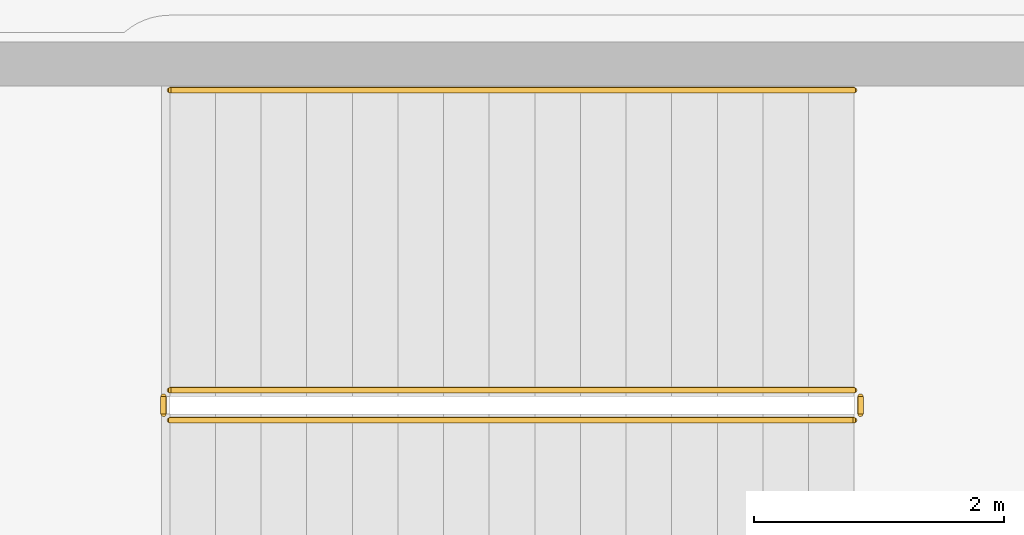
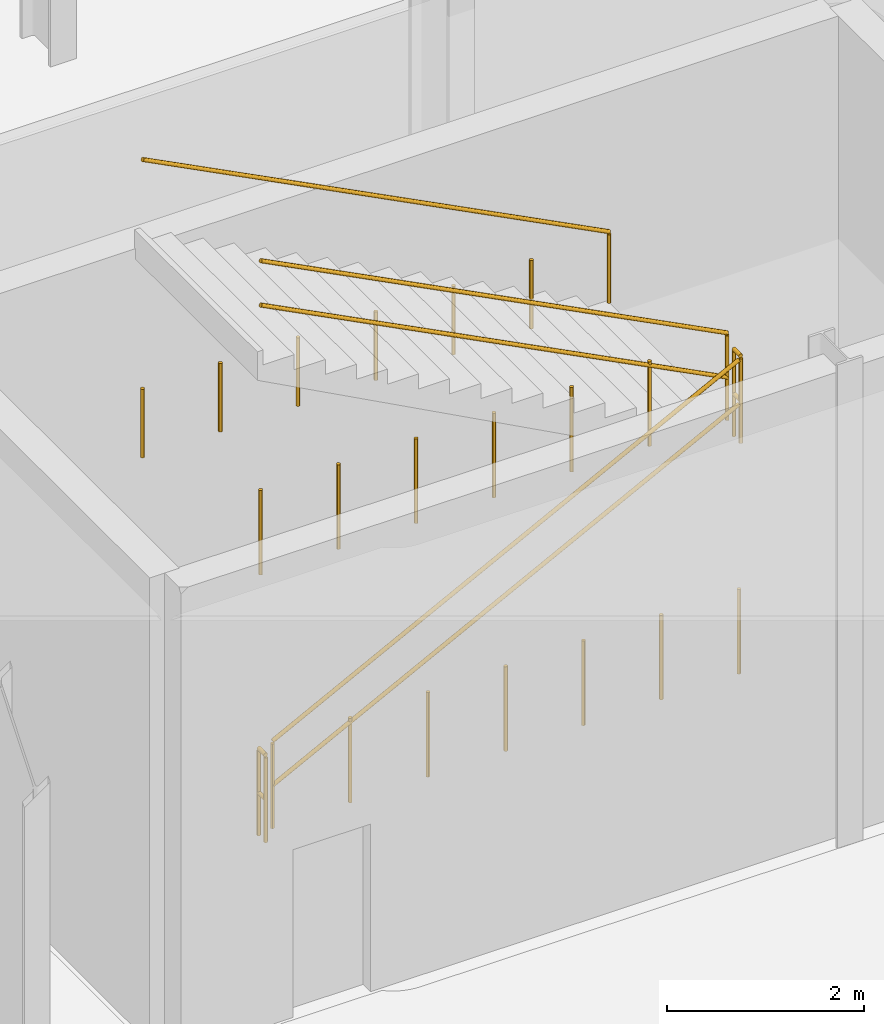
# One storey, part 107 of 124: 5 railings.
"""IFC4 building model written with IfcOpenShell, lengths in metres."""

from ifc_helpers import new_model, si_unit, direction, frame, origin, origin_2d, place, context, subcontext, project, spatial, circle, extrude, material, type_object, element, save


model = new_model("IFC4")

# Units and contexts
model_context = context("Model", 3, precision=1e-05, world=origin(), true_north=direction((0.0, 1.0)))
body_context = subcontext(model_context, "Body", "Model", "MODEL_VIEW")
ifc_project = project(units=[si_unit("LENGTHUNIT", "METRE"), si_unit("AREAUNIT", "SQUARE_METRE"), si_unit("VOLUMEUNIT", "CUBIC_METRE"), si_unit("PLANEANGLEUNIT", "RADIAN"), si_unit("MASSUNIT", "GRAM", prefix="KILO")], contexts=[model_context])

# Site, building, storey
site_placement = place(None, origin())
site = spatial("IfcSite", under=ifc_project, at=site_placement, CompositionType="ELEMENT")
building_placement = place(site_placement, origin())
building = spatial("IfcBuilding", under=site, at=building_placement, Name="Danafjord Basin Convention Centre", CompositionType="ELEMENT")
storey_placement = place(building_placement, origin())
storey = spatial("IfcBuildingStorey", under=building, at=storey_placement, Name="L00", CompositionType="ELEMENT", Elevation=0.0)

# Railings
ifc_material_1 = material(Name="Galvanised steel S355", Category="steel")
railing_type_1 = type_object("IfcRailingType", Name="RL-GD-WELL", PredefinedType="BALUSTRADE", material=ifc_material_1)
railing_1_placement = place(storey_placement, frame((71.72998046875, 18.659912109375, 0.1875)))
element("IfcRailing", 1, at=railing_1_placement, inside=storey, type_object=railing_type_1, Name="L00 ST-06 stair guard 1", PredefinedType="BALUSTRADE", context=body_context, shape_type="SweptSolid", body=[
    extrude(circle(Radius=0.02392578125, at=origin_2d()), frame((0.0, 0.0, 1.076171875), z_axis=(0.889503409663, 0.0, 0.456928532922), x_axis=(0.0, 1.0, 0.0)), (0.0, 0.0, 1.0), 6.1552734375),
    extrude(circle(Radius=0.02392578125, at=origin_2d()), frame((0.0, 0.0, 0.52587890625), z_axis=(0.889503409663, 0.0, 0.456928532922), x_axis=(0.0, 1.0, 0.0)), (0.0, 0.0, 1.0), 6.1552734375),
    extrude(circle(Radius=0.02099609375, at=origin_2d()), origin(), (0.0, 0.0, 1.0), 1.050048828125),
    extrude(circle(Radius=0.02099609375, at=origin_2d()), frame((0.91259765625, 0.0, 0.0)), (0.0, 0.0, 1.0), 1.050048828125),
    extrude(circle(Radius=0.02099609375, at=origin_2d()), frame((1.824951171875, 0.0, 0.0)), (0.0, 0.0, 1.0), 1.050048828125),
    extrude(circle(Radius=0.02099609375, at=origin_2d()), frame((2.737548828125, 0.0, 0.0)), (0.0, 0.0, 1.0), 1.050048828125),
    extrude(circle(Radius=0.02099609375, at=origin_2d()), frame((3.650146484375, 0.0, 0.0)), (0.0, 0.0, 1.0), 1.050048828125),
    extrude(circle(Radius=0.02099609375, at=origin_2d()), frame((4.5625, 0.0, 0.0)), (0.0, 0.0, 1.0), 1.050048828125),
    extrude(circle(Radius=0.02099609375, at=origin_2d()), frame((5.47509765625, 0.0, 0.0)), (0.0, 0.0, 1.0), 1.050048828125),
])
railing_2_placement = place(storey_placement, frame((77.2548828125, 18.7099609375, 3.0)))
element("IfcRailing", 2, at=railing_2_placement, inside=storey, type_object=railing_type_1, Name="L00 ST-06 stair guard 2", PredefinedType="BALUSTRADE", context=body_context, shape_type="SweptSolid", body=[
    extrude(circle(Radius=0.02392578125, at=origin_2d()), frame((0.0, 0.0, 1.076171875), z_axis=(0.0, 1.0, 0.0), x_axis=(-1.0, 0.0, 0.0)), (0.0, 0.0, 1.0), 0.14013671875),
    extrude(circle(Radius=0.02392578125, at=origin_2d()), frame((0.0, 0.0, 0.52587890625), z_axis=(0.0, 1.0, 0.0), x_axis=(-1.0, 0.0, 0.0)), (0.0, 0.0, 1.0), 0.14013671875),
    extrude(circle(Radius=0.02099609375, at=origin_2d()), origin(), (0.0, 0.0, 1.0), 1.050048828125),
    extrude(circle(Radius=0.02099609375, at=origin_2d()), frame((0.0, 0.14013671875, 0.0)), (0.0, 0.0, 1.0), 1.050048828125),
])
railing_3_placement = place(storey_placement, frame((77.205078125, 18.89990234375, 3.1875)))
element("IfcRailing", 3, at=railing_3_placement, inside=storey, type_object=railing_type_1, Name="L00 ST-06 stair guard 3", PredefinedType="BALUSTRADE", context=body_context, shape_type="SweptSolid", body=[
    extrude(circle(Radius=0.02392578125, at=origin_2d()), frame((0.0, 0.0, 1.076171875), z_axis=(-0.889503409663, 0.0, 0.456928532922), x_axis=(0.0, -1.0, 0.0)), (0.0, 0.0, 1.0), 6.1552734375),
    extrude(circle(Radius=0.02392578125, at=origin_2d()), frame((0.0, 0.0, 0.52587890625), z_axis=(-0.889503409663, 0.0, 0.456928532922), x_axis=(0.0, -1.0, 0.0)), (0.0, 0.0, 1.0), 6.1552734375),
    extrude(circle(Radius=0.02099609375, at=origin_2d()), origin(), (0.0, 0.0, 1.0), 1.050048828125),
    extrude(circle(Radius=0.02099609375, at=origin_2d()), frame((-0.91259765625, 0.0, 0.0)), (0.0, 0.0, 1.0), 1.050048828125),
    extrude(circle(Radius=0.02099609375, at=origin_2d()), frame((-1.824951171875, 0.0, 0.0)), (0.0, 0.0, 1.0), 1.050048828125),
    extrude(circle(Radius=0.02099609375, at=origin_2d()), frame((-2.737548828125, 0.0, 0.0)), (0.0, 0.0, 1.0), 1.050048828125),
    extrude(circle(Radius=0.02099609375, at=origin_2d()), frame((-3.650146484375, 0.0, 0.0)), (0.0, 0.0, 1.0), 1.050048828125),
    extrude(circle(Radius=0.02099609375, at=origin_2d()), frame((-4.5625, 0.0, 0.0)), (0.0, 0.0, 1.0), 1.050048828125),
    extrude(circle(Radius=0.02099609375, at=origin_2d()), frame((-5.47509765625, 0.0, 0.0)), (0.0, 0.0, 1.0), 1.050048828125),
])
railing_4_placement = place(storey_placement, frame((71.679931640625, 18.7099609375, 0.0)))
element("IfcRailing", 4, at=railing_4_placement, inside=storey, type_object=railing_type_1, Name="L00 ST-06 stair guard 4", PredefinedType="BALUSTRADE", context=body_context, shape_type="SweptSolid", body=[
    extrude(circle(Radius=0.02392578125, at=origin_2d()), frame((0.0, 0.0, 1.076171875), z_axis=(0.0, 1.0, 0.0), x_axis=(-1.0, 0.0, 0.0)), (0.0, 0.0, 1.0), 0.14013671875),
    extrude(circle(Radius=0.02392578125, at=origin_2d()), frame((0.0, 0.0, 0.52587890625), z_axis=(0.0, 1.0, 0.0), x_axis=(-1.0, 0.0, 0.0)), (0.0, 0.0, 1.0), 0.14013671875),
    extrude(circle(Radius=0.02099609375, at=origin_2d()), origin(), (0.0, 0.0, 1.0), 1.050048828125),
    extrude(circle(Radius=0.02099609375, at=origin_2d()), frame((0.0, 0.14013671875, 0.0)), (0.0, 0.0, 1.0), 1.050048828125),
])
ifc_material_2 = material(Name="Brushed stainless steel EN 1.4404", Category="steel")
railing_type_2 = type_object("IfcRailingType", Name="RL-HR-STAIR", PredefinedType="HANDRAIL", material=ifc_material_2)
railing_5_placement = place(storey_placement, frame((77.205078125, 21.300048828125, 3.1875)))
element("IfcRailing", 5, at=railing_5_placement, inside=storey, type_object=railing_type_2, Name="L00 ST-06 stair handrail 2", PredefinedType="HANDRAIL", context=body_context, shape_type="SweptSolid", body=[
    extrude(circle(Radius=0.02392578125, at=origin_2d()), frame((0.0, 0.0, 0.8759765625), z_axis=(-0.889503409663, 0.0, 0.456928532922), x_axis=(0.0, -1.0, 0.0)), (0.0, 0.0, 1.0), 6.1552734375),
    extrude(circle(Radius=0.02099609375, at=origin_2d()), origin(), (0.0, 0.0, 1.0), 0.849853515625),
    extrude(circle(Radius=0.02099609375, at=origin_2d()), frame((-0.91259765625, 0.0, 0.0)), (0.0, 0.0, 1.0), 0.849853515625),
    extrude(circle(Radius=0.02099609375, at=origin_2d()), frame((-1.824951171875, 0.0, 0.0)), (0.0, 0.0, 1.0), 0.849853515625),
    extrude(circle(Radius=0.02099609375, at=origin_2d()), frame((-2.737548828125, 0.0, 0.0)), (0.0, 0.0, 1.0), 0.849853515625),
    extrude(circle(Radius=0.02099609375, at=origin_2d()), frame((-3.650146484375, 0.0, 0.0)), (0.0, 0.0, 1.0), 0.849853515625),
    extrude(circle(Radius=0.02099609375, at=origin_2d()), frame((-4.5625, 0.0, 0.0)), (0.0, 0.0, 1.0), 0.849853515625),
    extrude(circle(Radius=0.02099609375, at=origin_2d()), frame((-5.47509765625, 0.0, 0.0)), (0.0, 0.0, 1.0), 0.849853515625),
])

save(model, "model.ifc")
